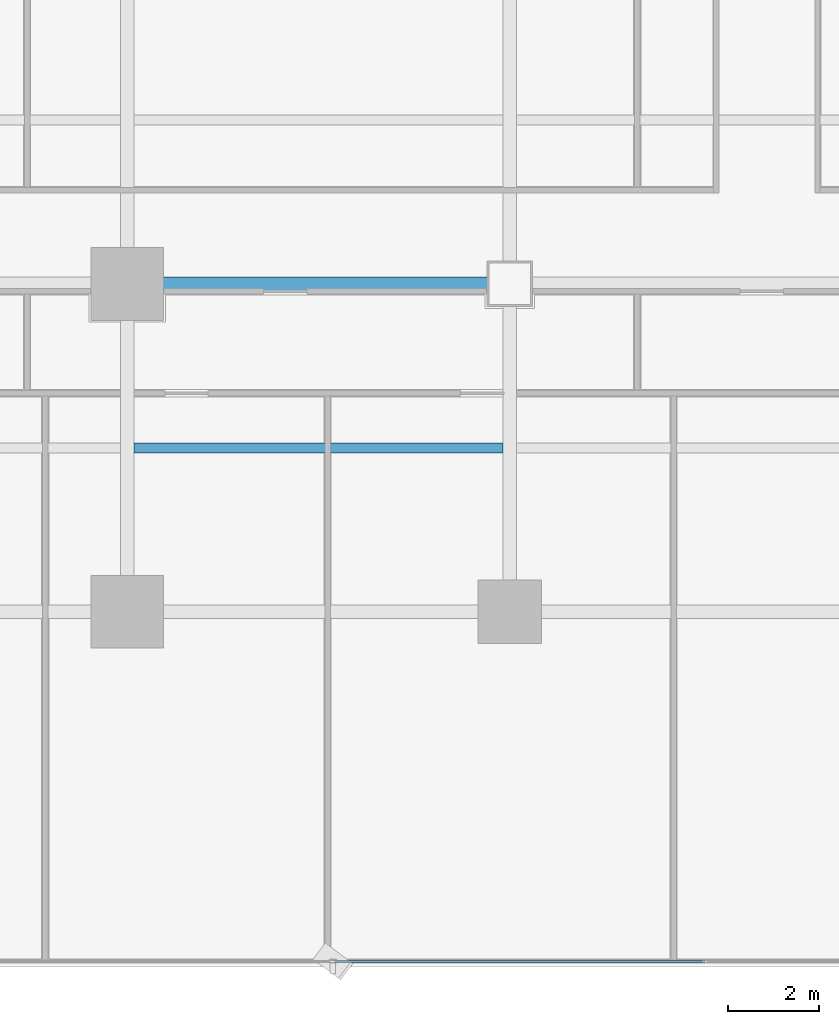
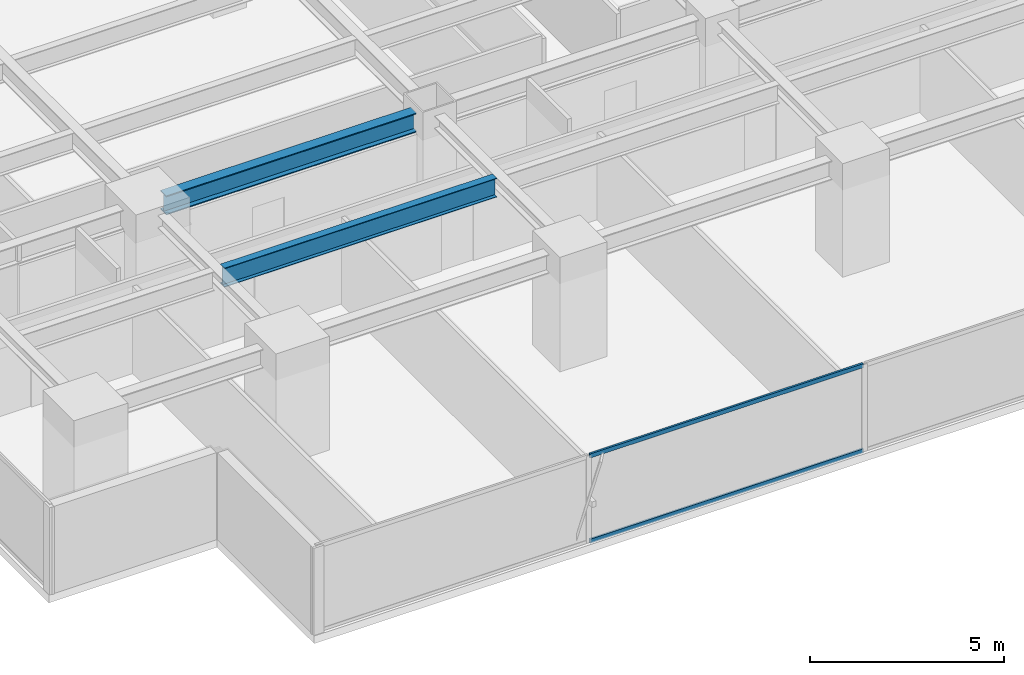
# One storey, part 5 of 36: 2 beams, 2 members, 1 element without a shape of its own.
"""IFC4 building model written with IfcOpenShell, lengths in metres."""

from ifc_helpers import new_model, si_unit, direction, frame, origin, origin_2d, place, context, subcontext, project, spatial, hollow_rectangle, i_section, extrude, source, transform, mapped, material, layer, layer_set, material_profile, profile_set, type_object, element, aggregate, save


model = new_model("IFC4")

# Units and contexts
model_context = context("Model", 3, precision=1e-05, world=origin(), true_north=direction((0.0, 1.0)))
body_context = subcontext(model_context, "Body", "Model", "MODEL_VIEW")
ifc_project = project(units=[si_unit("LENGTHUNIT", "METRE"), si_unit("AREAUNIT", "SQUARE_METRE"), si_unit("VOLUMEUNIT", "CUBIC_METRE"), si_unit("PLANEANGLEUNIT", "RADIAN"), si_unit("MASSUNIT", "GRAM", prefix="KILO")], contexts=[model_context])

# Site, building, storey
site_placement = place(None, origin())
site = spatial("IfcSite", under=ifc_project, at=site_placement, CompositionType="ELEMENT")
building_placement = place(site_placement, origin())
building = spatial("IfcBuilding", under=site, at=building_placement, Name="Sumidabori Civic Tower", CompositionType="ELEMENT")
storey_placement = place(building_placement, frame((0.0, 0.0, 84.800048828125)))
storey = spatial("IfcBuildingStorey", under=building, at=storey_placement, Name="L21", CompositionType="ELEMENT", Elevation=84.800048828125)

# Beams
ifc_material_1 = material(Name="Steel SN490", Category="steel")
ifc_material_profile_1 = material_profile(ifc_material_1, i_section(OverallWidth=0.300048828125, OverallDepth=0.60009765625, WebThickness=0.015380859375, FlangeThickness=0.030029296875, at=origin_2d()), Name="HE 600 B")
ifc_profile_set_1 = profile_set([ifc_material_profile_1], Name="Steel SN490")
beam_type_1 = type_object("IfcBeamType", Name="BM-GIRD-600", PredefinedType="BEAM", material=ifc_profile_set_1)
shared_shape_1 = source(origin(), body_context, "Body", "SweptSolid", [
    extrude(i_section(OverallWidth=0.300048828125, OverallDepth=0.60009765625, WebThickness=0.015380859375, FlangeThickness=0.030029296875, at=origin_2d()), origin(), (0.0, 0.0, 1.0), 7.440185546875),
])
beam_1_placement = place(storey_placement, frame((-16.320068359375, -10.800048828125, 3.06005859375), z_axis=(1.0, 0.0, 0.0), x_axis=(0.0, 1.0, 0.0)))
element("IfcBeam", 1, at=beam_1_placement, inside=storey, type_object=beam_type_1, Name="Primary Girder L21 GX-08", PredefinedType="BEAM", context=body_context, shape_type="MappedRepresentation", body=[
    mapped(shared_shape_1, transform((0.0, 0.0, 0.0), x_axis=(1.0, 0.0, 0.0), y_axis=(0.0, 1.0, 0.0), z_axis=(0.0, 0.0, 1.0), scale=1.0)),
])
ifc_material_profile_2 = material_profile(ifc_material_1, i_section(OverallWidth=0.219970703125, OverallDepth=0.60009765625, WebThickness=0.011962890625, FlangeThickness=0.01904296875, at=origin_2d()), Name="IPE 600")
ifc_profile_set_2 = profile_set([ifc_material_profile_2], Name="Steel SN490")
beam_type_2 = type_object("IfcBeamType", Name="BM-JST-600", PredefinedType="JOIST", material=ifc_profile_set_2)
shared_shape_2 = source(origin(), body_context, "Body", "SweptSolid", [
    extrude(i_section(OverallWidth=0.219970703125, OverallDepth=0.60009765625, WebThickness=0.011962890625, FlangeThickness=0.01904296875, at=origin_2d()), origin(), (0.0, 0.0, 1.0), 8.099853515625),
])
beam_2_placement = place(storey_placement, frame((-16.64990234375, -14.39990234375, 3.06005859375), z_axis=(1.0, 0.0, 0.0), x_axis=(0.0, 1.0, 0.0)))
element("IfcBeam", 2, at=beam_2_placement, inside=storey, type_object=beam_type_2, Name="South Bay Floor Joist L21 JSTS-55", PredefinedType="JOIST", context=body_context, shape_type="MappedRepresentation", body=[
    mapped(shared_shape_2, transform((0.0, 0.0, 0.0), x_axis=(1.0, 0.0, 0.0), y_axis=(0.0, 1.0, 0.0), z_axis=(0.0, 0.0, 1.0), scale=1.0)),
])

# Curtain wall, members
ifc_material_2 = material(Name="Anodised Bronze Aluminium AW-6063-T6", Category="aluminium")
ifc_layer = layer(ifc_material_2, 0.179931640625, Name="Anodised Bronze Aluminium AW-6063-T6")
ifc_layer_set = layer_set([ifc_layer], Name="Anodised Bronze Aluminium AW-6063-T6")
curtain_wall_type = type_object("IfcCurtainWallType", Name="CW-SYS-3", PredefinedType="NOTDEFINED", material=ifc_layer_set)
curtain_wall_placement = place(storey_placement, origin())
curtain_wall = element("IfcCurtainWall", 3, at=curtain_wall_placement, inside=storey, type_object=curtain_wall_type, Name="Curtain Wall CW:L21:R01", PredefinedType="NOTDEFINED")
ifc_material_profile_3 = material_profile(ifc_material_2, hollow_rectangle(XDim=0.06005859375, YDim=0.1298828125, WallThickness=0.0048828125, at=origin_2d()), Name="ALU TRANSOM 130x60")
ifc_profile_set_3 = profile_set([ifc_material_profile_3], Name="Anodised Bronze Aluminium AW-6063-T6")
member_type = type_object("IfcMemberType", Name="CW-TRN-130", PredefinedType="USERDEFINED", material=ifc_profile_set_3)
shared_shape_3 = source(origin(), body_context, "Body", "SweptSolid", [
    extrude(hollow_rectangle(XDim=0.06005859375, YDim=0.1298828125, WallThickness=0.0048828125, at=origin_2d()), origin(), (0.0, 0.0, 1.0), 8.123046875),
])
member_1_placement = place(storey_placement, frame((-12.24951171875, -25.679931640625, 0.030029296875), z_axis=(1.0, 0.0, 0.0), x_axis=(0.0, 1.0, 0.0)))
member_1 = element("IfcMember", 4, at=member_1_placement, type_object=member_type, Name="CW-3 transom 2.1", ObjectType="TRANSOM", PredefinedType="USERDEFINED", context=body_context, shape_type="MappedRepresentation", body=[
    mapped(shared_shape_3, transform((0.0, 0.0, 0.0), x_axis=(1.0, 0.0, 0.0), y_axis=(0.0, 1.0, 0.0), z_axis=(0.0, 0.0, 1.0), scale=1.0)),
])
member_2_placement = place(storey_placement, frame((-12.24951171875, -25.679931640625, 2.7099609375), z_axis=(1.0, 0.0, 0.0), x_axis=(0.0, 1.0, 0.0)))
member_2 = element("IfcMember", 5, at=member_2_placement, type_object=member_type, Name="CW-3 transom 2.2", ObjectType="TRANSOM", PredefinedType="USERDEFINED", context=body_context, shape_type="MappedRepresentation", body=[
    mapped(shared_shape_3, transform((0.0, 0.0, 0.0), x_axis=(1.0, 0.0, 0.0), y_axis=(0.0, 1.0, 0.0), z_axis=(0.0, 0.0, 1.0), scale=1.0)),
])
aggregate(curtain_wall, [member_1, member_2])

save(model, "model.ifc")
